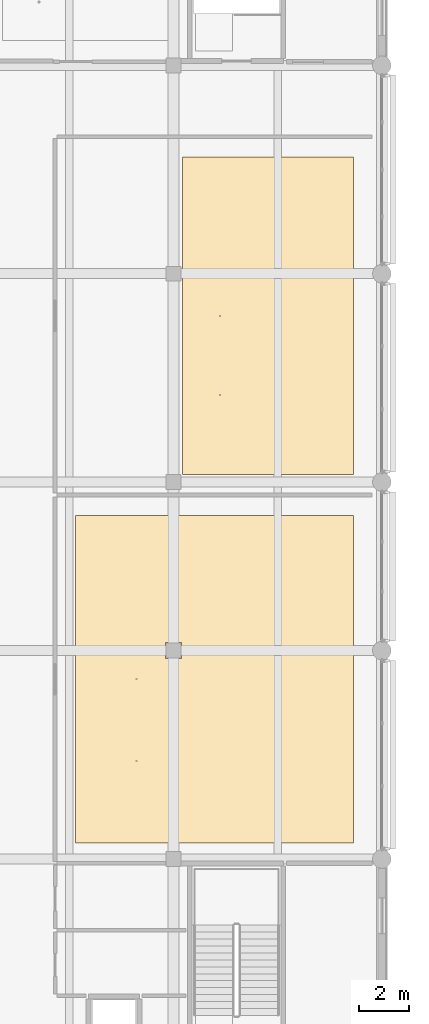
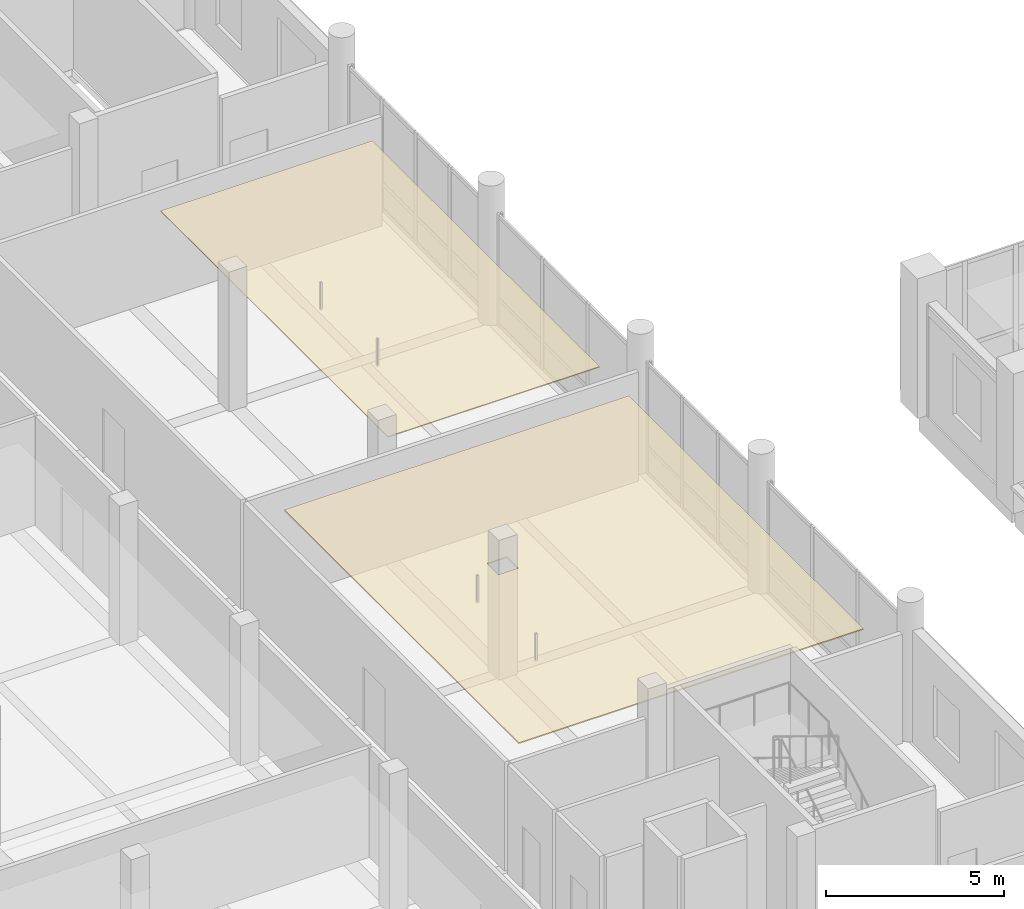
# One storey, part 99 of 122: 2 coverings.
"""IFC4 building model written with IfcOpenShell, lengths in metres."""

from ifc_helpers import new_model, si_unit, direction, frame, origin, place, context, subcontext, project, spatial, polyline, outline, extrude, material, layer, layer_set, type_object, element, save


model = new_model("IFC4")

# Units and contexts
model_context = context("Model", 3, precision=1e-05, world=origin(), true_north=direction((0.0, 1.0)))
body_context = subcontext(model_context, "Body", "Model", "MODEL_VIEW")
ifc_project = project(units=[si_unit("LENGTHUNIT", "METRE"), si_unit("AREAUNIT", "SQUARE_METRE"), si_unit("VOLUMEUNIT", "CUBIC_METRE"), si_unit("PLANEANGLEUNIT", "RADIAN"), si_unit("MASSUNIT", "GRAM", prefix="KILO")], contexts=[model_context])

# Site, building, storey
site_placement = place(None, origin())
site = spatial("IfcSite", under=ifc_project, at=site_placement, CompositionType="ELEMENT")
building_placement = place(site_placement, origin())
building = spatial("IfcBuilding", under=site, at=building_placement, Name="Telukmera Botanical Conservatory", CompositionType="ELEMENT")
storey_placement = place(building_placement, frame((0.0, 0.0, 10.199951171875)))
storey = spatial("IfcBuildingStorey", under=building, at=storey_placement, Name="L02", CompositionType="ELEMENT", Elevation=10.199951171875)

# Coverings
ifc_material_1 = material(Name="Mineral fibre acoustic ceiling")
ifc_layer_1 = layer(ifc_material_1, 0.030029296875)
ifc_layer_set_1 = layer_set([ifc_layer_1], Name="Mineral fibre acoustic ceiling")
covering_type_1 = type_object("IfcCoveringType", Name="COV-CEIL-30", PredefinedType="CEILING", material=ifc_layer_set_1)
covering_1_placement = place(storey_placement, frame((0.0, 0.0, 3.6201171875)))
element("IfcCovering", 1, at=covering_1_placement, inside=storey, type_object=covering_type_1, Name="L02 Digital Herbarium Learning Studio Suspended Acoustic Ceiling", PredefinedType="CEILING", context=body_context, shape_type="SweptSolid", body=[
    extrude(outline(polyline([(33.969970703125, 49.89990234375), (40.85009765625, 49.89990234375), (40.85009765625, 62.699951171875), (33.969970703125, 62.699951171875), (33.969970703125, 49.89990234375)])), origin(), (0.0, 0.0, 1.0), 0.030029296875),
])
ifc_material_2 = material(Name="Perforated gypsum acoustic ceiling")
ifc_layer_2 = layer(ifc_material_2, 0.0400390625)
ifc_layer_set_2 = layer_set([ifc_layer_2], Name="Perforated gypsum acoustic ceiling")
covering_type_2 = type_object("IfcCoveringType", Name="COV-CEIL-40", PredefinedType="CEILING", material=ifc_layer_set_2)
covering_2_placement = place(storey_placement, frame((0.0, 0.0, 3.610107421875)))
element("IfcCovering", 2, at=covering_2_placement, inside=storey, type_object=covering_type_2, Name="L02 Taxonomy Teaching Classroom Suspended Acoustic Ceiling", PredefinedType="CEILING", context=body_context, shape_type="SweptSolid", body=[
    extrude(outline(polyline([(29.64990234375, 35.050048828125), (40.85009765625, 35.050048828125), (40.85009765625, 48.25), (29.64990234375, 48.25), (29.64990234375, 35.050048828125)]), holes=[polyline([(33.280029296875, 42.47998046875), (33.919921875, 42.47998046875), (33.919921875, 43.1201171875), (33.280029296875, 43.1201171875), (33.280029296875, 42.47998046875)])]), origin(), (0.0, 0.0, 1.0), 0.0400390625),
])

save(model, "model.ifc")
